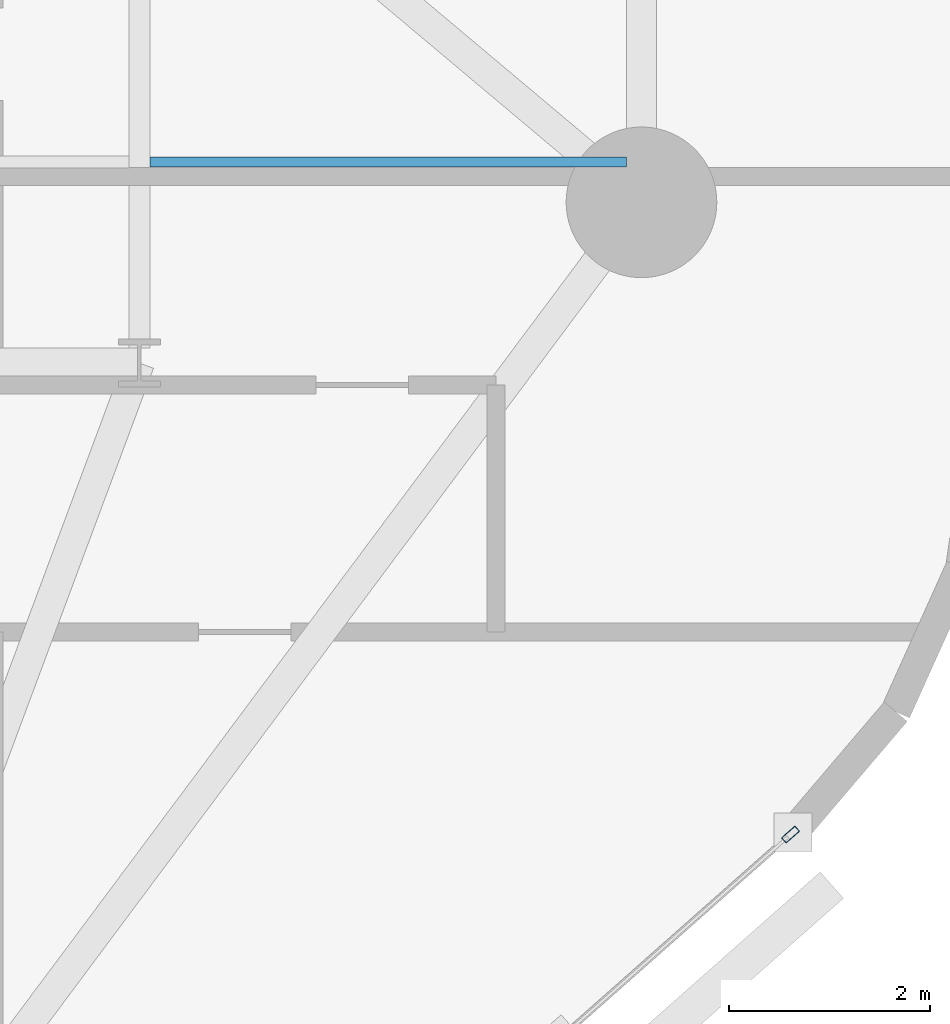
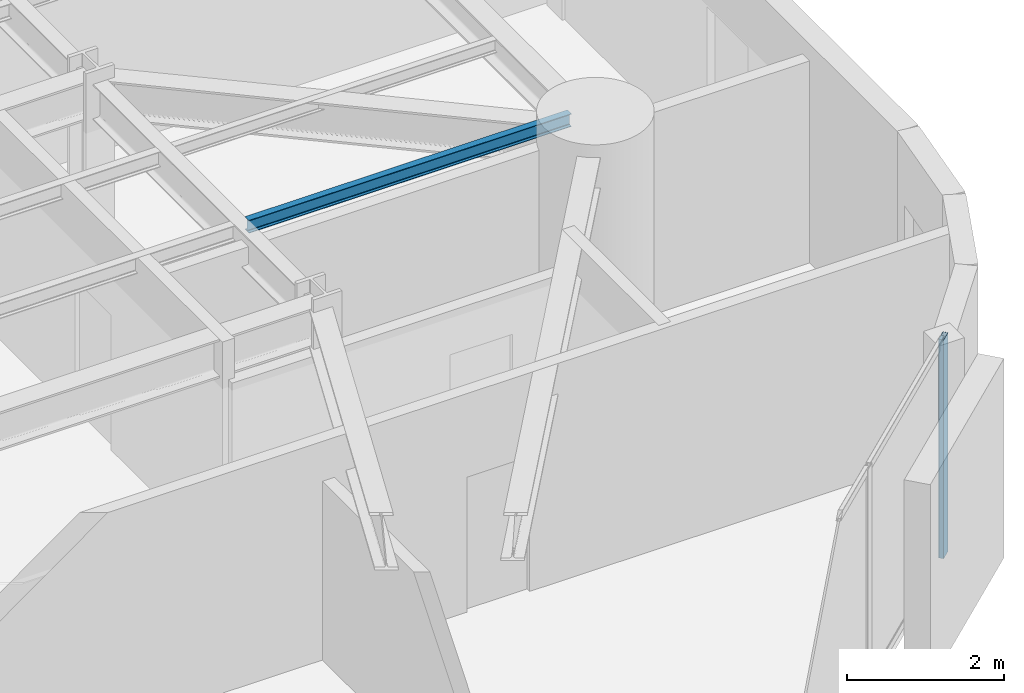
# One storey, part 4 of 16: 1 beam, 1 member, 1 element without a shape of its own.
"""IFC4 building model written with IfcOpenShell, lengths in metres."""

from ifc_helpers import new_model, si_unit, direction, frame, origin, origin_2d, place, context, subcontext, project, spatial, hollow_rectangle, i_section, extrude, material, layer, layer_set, material_profile, profile_set, type_object, element, aggregate, save


model = new_model("IFC4")

# Units and contexts
model_context = context("Model", 3, precision=1e-05, world=origin(), true_north=direction((0.0, 1.0)))
body_context = subcontext(model_context, "Body", "Model", "MODEL_VIEW")
ifc_project = project(units=[si_unit("LENGTHUNIT", "METRE"), si_unit("AREAUNIT", "SQUARE_METRE"), si_unit("VOLUMEUNIT", "CUBIC_METRE"), si_unit("PLANEANGLEUNIT", "RADIAN"), si_unit("MASSUNIT", "GRAM", prefix="KILO")], contexts=[model_context])

# Site, building, storey
site_placement = place(None, origin())
site = spatial("IfcSite", under=ifc_project, at=site_placement, CompositionType="ELEMENT")
building_placement = place(site_placement, origin())
building = spatial("IfcBuilding", under=site, at=building_placement, Name="An Khanh Terracotta Commons", CompositionType="ELEMENT")
storey_placement = place(building_placement, frame((0.0, 0.0, 46.800048828125)))
storey = spatial("IfcBuildingStorey", under=building, at=storey_placement, Name="L12", CompositionType="ELEMENT", Elevation=46.800048828125)

# Beam
ifc_material_1 = material(Name="Steel S355J2", Category="steel")
ifc_material_profile_1 = material_profile(ifc_material_1, i_section(OverallWidth=0.10009765625, OverallDepth=0.199951171875, WebThickness=0.005615234375, FlangeThickness=0.008544921875, FilletRadius=0.011962890625, at=origin_2d()), Name="IPE200")
ifc_profile_set_1 = profile_set([ifc_material_profile_1], Name="Steel S355J2")
beam_type = type_object("IfcBeamType", Name="BM-IPE200", PredefinedType="JOIST", material=ifc_profile_set_1)
beam_placement = place(storey_placement, frame((43.304931640625, 16.39990234375, 3.300048828125), z_axis=(1.0, 0.0, 0.0), x_axis=(0.0, 1.0, 0.0)))
element("IfcBeam", 1, at=beam_placement, inside=storey, type_object=beam_type, Name="L12 Riverfront Composite Joist 1", PredefinedType="JOIST", context=body_context, shape_type="SweptSolid", body=[
    extrude(i_section(OverallWidth=0.10009765625, OverallDepth=0.199951171875, WebThickness=0.005615234375, FlangeThickness=0.008544921875, FilletRadius=0.011962890625, at=origin_2d()), origin(), (0.0, 0.0, 1.0), 4.7451171875),
])

# Curtain wall, member
ifc_material_2 = material(Name="Anodised Aluminium 6063-T6", Category="aluminium")
ifc_layer = layer(ifc_material_2, 0.199951171875, Name="Anodised Aluminium 6063-T6")
ifc_layer_set = layer_set([ifc_layer], Name="Anodised Aluminium 6063-T6")
curtain_wall_type = type_object("IfcCurtainWallType", Name="CW-SYS-02", PredefinedType="USERDEFINED", material=ifc_layer_set)
curtain_wall_placement = place(storey_placement, origin())
curtain_wall = element("IfcCurtainWall", 2, at=curtain_wall_placement, inside=storey, type_object=curtain_wall_type, Name="L12 CW-02 Unitised Curtain Wall CW-L12-08", ObjectType="UNITISED CURTAIN WALL", PredefinedType="USERDEFINED")
ifc_material_profile_2 = material_profile(ifc_material_2, hollow_rectangle(XDim=0.070068359375, YDim=0.179931640625, WallThickness=0.00390625, InnerFilletRadius=0.00390625, OuterFilletRadius=0.008056640625, at=origin_2d()), Name="RHS180x70x4")
ifc_profile_set_2 = profile_set([ifc_material_profile_2], Name="Anodised Aluminium 6063-T6")
member_type = type_object("IfcMemberType", Name="CWM-RHS180x70x4", PredefinedType="MULLION", material=ifc_profile_set_2)
member_placement = place(storey_placement, frame((49.683837890625, 9.704833984375, 0.0), z_axis=(0.0, 0.0, 1.0), x_axis=(-0.662548195415, 0.749019284633, 0.0)))
member = element("IfcMember", 3, at=member_placement, type_object=member_type, Name="CW-02 mullion 4", PredefinedType="MULLION", context=body_context, shape_type="SweptSolid", body=[
    extrude(hollow_rectangle(XDim=0.070068359375, YDim=0.179931640625, WallThickness=0.00390625, InnerFilletRadius=0.00390625, OuterFilletRadius=0.008056640625, at=origin_2d()), origin(), (0.0, 0.0, 1.0), 3.39990234375),
])
aggregate(curtain_wall, [member])

save(model, "model.ifc")
